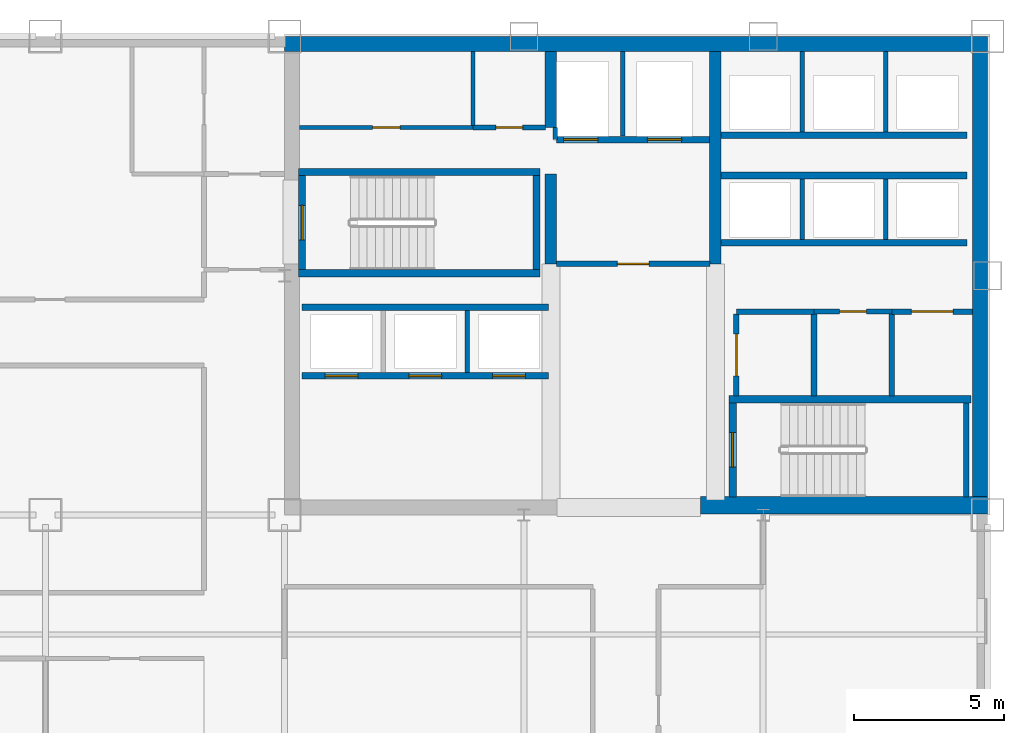
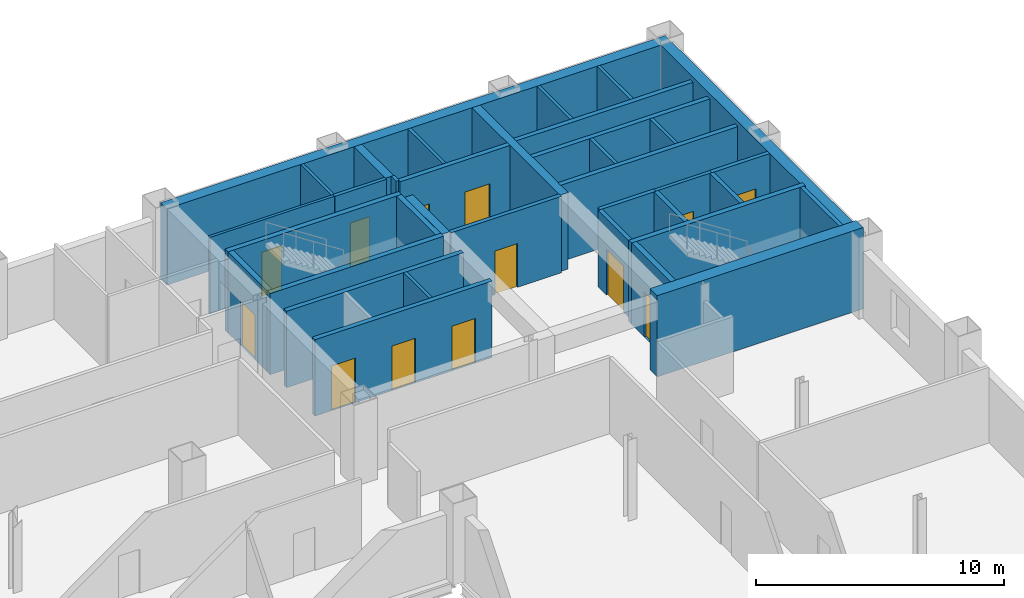
# One storey, part 7 of 10: 36 walls, 13 doors, 13 openings.
"""IFC4 building model written with IfcOpenShell, lengths in metres."""

from ifc_helpers import new_model, si_unit, direction, frame, frame_2d, origin, place, context, subcontext, project, spatial, rectangle, extrude, material, layer, layer_set, type_object, element, fill, save


model = new_model("IFC4")

# Units and contexts
model_context = context("Model", 3, precision=1e-05, world=origin(), true_north=direction((0.0, 1.0)))
body_context = subcontext(model_context, "Body", "Model", "MODEL_VIEW")
ifc_project = project(units=[si_unit("LENGTHUNIT", "METRE"), si_unit("AREAUNIT", "SQUARE_METRE"), si_unit("VOLUMEUNIT", "CUBIC_METRE"), si_unit("PLANEANGLEUNIT", "RADIAN"), si_unit("MASSUNIT", "GRAM", prefix="KILO")], contexts=[model_context])

# Site, building, storey
site_placement = place(None, origin())
site = spatial("IfcSite", under=ifc_project, at=site_placement, CompositionType="ELEMENT")
building_placement = place(site_placement, origin())
building = spatial("IfcBuilding", under=site, at=building_placement, Name="Qianrong Seaharbour Tower", CompositionType="ELEMENT")
storey_placement = place(building_placement, frame((0.0, 0.0, 175.0)))
storey = spatial("IfcBuildingStorey", under=building, at=storey_placement, Name="L42", CompositionType="ELEMENT", Elevation=175.0)

# Walls
ifc_material_1 = material(Name="Concrete C60/75", Category="concrete")
ifc_layer_1 = layer(ifc_material_1, 0.5)
ifc_layer_set_1 = layer_set([ifc_layer_1], Name="Concrete C60/75")
wall_type_1 = type_object("IfcWallType", Name="WALL-CORE-500", PredefinedType="SHEAR", material=ifc_layer_set_1)
wall_1_placement = place(storey_placement, frame((40.5, 51.75, 0.0), z_axis=(0.0, 0.0, 1.0), x_axis=(1.0, 0.0, 0.0)))
element("IfcWall", 1, at=wall_1_placement, inside=storey, type_object=wall_type_1, Name="L42 North Core Shear Wall", PredefinedType="SHEAR", context=body_context, shape_type="SweptSolid", body=[
    extrude(rectangle(XDim=23.5, YDim=0.5, at=frame_2d((11.75, 0.0))), origin(), (0.0, 0.0, 1.0), 3.764892578125),
])
wall_2_placement = place(storey_placement, frame((63.75, 36.320068359375, 0.0), z_axis=(0.0, 0.0, 1.0), x_axis=(0.0, 1.0, 0.0)))
element("IfcWall", 2, at=wall_2_placement, inside=storey, type_object=wall_type_1, Name="L42 East Core Shear Wall", PredefinedType="SHEAR", context=body_context, shape_type="SweptSolid", body=[
    extrude(rectangle(XDim=15.179931640625, YDim=0.5, at=frame_2d((7.58984375, 0.0))), origin(), (0.0, 0.0, 1.0), 3.764892578125),
])
ifc_material_2 = material(Name="Concrete C70/85", Category="concrete")
ifc_layer_2 = layer(ifc_material_2, 0.580078125)
ifc_layer_set_2 = layer_set([ifc_layer_2], Name="Concrete C70/85")
wall_type_2 = type_object("IfcWallType", Name="WALL-CORE-580", PredefinedType="SHEAR", material=ifc_layer_set_2)
wall_3_placement = place(storey_placement, frame((54.39990234375, 36.320068359375, 0.0), z_axis=(0.0, 0.0, 1.0), x_axis=(1.0, 0.0, 0.0)))
element("IfcWall", 3, at=wall_3_placement, inside=storey, type_object=wall_type_2, Name="L42 South Core Shear Wall S3", PredefinedType="SHEAR", context=body_context, shape_type="SweptSolid", body=[
    extrude(rectangle(XDim=9.60009765625, YDim=0.580078125, at=frame_2d((4.800048828125, 0.0))), origin(), (0.0, 0.0, 1.0), 4.0),
])
ifc_layer_3 = layer(ifc_material_1, 0.3798828125)
ifc_layer_set_3 = layer_set([ifc_layer_3], Name="Concrete C60/75")
wall_type_3 = type_object("IfcWallType", Name="WALL-CORE-INT-380", PredefinedType="SHEAR", material=ifc_layer_set_3)
wall_4_placement = place(storey_placement, frame((49.39990234375, 44.39990234375, 0.0), z_axis=(0.0, 0.0, 1.0), x_axis=(0.0, 1.0, 0.0)))
element("IfcWall", 4, at=wall_4_placement, inside=storey, type_object=wall_type_3, Name="L42 Internal Core Shear Wall IW1N1", PredefinedType="SHEAR", context=body_context, shape_type="SweptSolid", body=[
    extrude(rectangle(XDim=3.0, YDim=0.3798828125, at=frame_2d((1.5, 0.0))), origin(), (0.0, 0.0, 1.0), 3.764892578125),
])
wall_5_placement = place(storey_placement, frame((49.39990234375, 48.949951171875, 0.0), z_axis=(0.0, 0.0, 1.0), x_axis=(0.0, 1.0, 0.0)))
element("IfcWall", 5, at=wall_5_placement, inside=storey, type_object=wall_type_3, Name="L42 Internal Core Shear Wall IW1N2", PredefinedType="SHEAR", context=body_context, shape_type="SweptSolid", body=[
    extrude(rectangle(XDim=2.550048828125, YDim=0.3798828125, at=frame_2d((1.27490234375, 0.0))), origin(), (0.0, 0.0, 1.0), 3.764892578125),
])
wall_6_placement = place(storey_placement, frame((54.89990234375, 44.39990234375, 0.0), z_axis=(0.0, 0.0, 1.0), x_axis=(0.0, 1.0, 0.0)))
element("IfcWall", 6, at=wall_6_placement, inside=storey, type_object=wall_type_3, Name="L42 Internal Core Shear Wall IW2N", PredefinedType="SHEAR", context=body_context, shape_type="SweptSolid", body=[
    extrude(rectangle(XDim=7.10009765625, YDim=0.3798828125, at=frame_2d((3.550048828125, 0.0))), origin(), (0.0, 0.0, 1.0), 3.764892578125),
])

# Wall, opening, door
ifc_material_3 = material(Name="Fire-rated acoustic gypsum board partition")
ifc_layer_4 = layer(ifc_material_3, 0.1650390625)
ifc_layer_set_4 = layer_set([ifc_layer_4], Name="Fire-rated acoustic gypsum board partition")
wall_type_4 = type_object("IfcWallType", Name="WALL-CORR-PART-165", PredefinedType="PARTITIONING", material=ifc_layer_set_4)
wall_7_placement = place(storey_placement, frame((46.800048828125, 48.949951171875, 0.0), z_axis=(0.0, 0.0, 1.0), x_axis=(1.0, 0.0, 0.0)))
wall_7 = element("IfcWall", 7, at=wall_7_placement, inside=storey, type_object=wall_type_4, Name="L42 Interior Partition Wall 008", PredefinedType="PARTITIONING", context=body_context, shape_type="SweptSolid", body=[
    extrude(rectangle(XDim=2.41796875, YDim=0.1650390625, at=frame_2d((1.208984375, 0.0))), origin(), (0.0, 0.0, 1.0), 3.764892578125),
])
opening_1_placement = place(wall_7_placement, frame((0.759033203125, 0.0, 0.0)))
opening_1 = element("IfcOpeningElement", 8, at=opening_1_placement, cuts=wall_7, Name="Opening DS-01", PredefinedType="OPENING", context=body_context, shape_type="SweptSolid", body=[
    extrude(rectangle(XDim=0.89990234375, YDim=2.14990234375, at=frame_2d((0.449951171875, 1.074951171875))), frame((0.0, 0.092529296875, 0.0), z_axis=(0.0, -1.0, 0.0), x_axis=(1.0, 0.0, 0.0)), (0.0, 0.0, 1.0), 0.18505859375),
])
ifc_material_4 = material(Name="Acoustic timber and galvanized steel fire door assembly", Category="steel")
door_type_1 = type_object("IfcDoorType", Name="DOOR-STORE-900x2150", OperationType="NOTDEFINED", PredefinedType="DOOR", material=ifc_material_4)
door_1_placement = place(opening_1_placement, origin())
door_1 = element("IfcDoor", 9, at=door_1_placement, inside=storey, type_object=door_type_1, Name="L42 Janitor Store Room Door", OperationType="SINGLE_SWING_RIGHT", OverallHeight=2.14990234375, OverallWidth=0.89990234375, PredefinedType="DOOR", context=body_context, shape_type="SweptSolid", body=[
    extrude(rectangle(XDim=0.89990234375, YDim=2.14990234375, at=frame_2d((0.449951171875, 1.074951171875))), frame((0.0, 0.02490234375, 0.0), z_axis=(0.0, -1.0, 0.0), x_axis=(1.0, 0.0, 0.0)), (0.0, 0.0, 1.0), 0.050048828125),
])
fill(opening_1, door_1)

wall_8_placement = place(storey_placement, frame((60.800048828125, 42.800048828125, 0.0), z_axis=(0.0, 0.0, 1.0), x_axis=(-1.0, 0.0, 0.0)))
wall_8 = element("IfcWall", 10, at=wall_8_placement, inside=storey, type_object=wall_type_4, Name="L42 Interior Partition Wall 012", PredefinedType="PARTITIONING", context=body_context, shape_type="SweptSolid", body=[
    extrude(rectangle(XDim=2.60009765625, YDim=0.1650390625, at=frame_2d((1.300048828125, 0.0))), origin(), (0.0, 0.0, 1.0), 3.764892578125),
])
opening_2_placement = place(wall_8_placement, frame((0.85009765625, 0.0, 0.0)))
opening_2 = element("IfcOpeningElement", 11, at=opening_2_placement, cuts=wall_8, Name="Opening DS-01", PredefinedType="OPENING", context=body_context, shape_type="SweptSolid", body=[
    extrude(rectangle(XDim=0.89990234375, YDim=2.14990234375, at=frame_2d((0.449951171875, 1.074951171875))), frame((0.0, 0.092529296875, 0.0), z_axis=(0.0, -1.0, 0.0), x_axis=(1.0, 0.0, 0.0)), (0.0, 0.0, 1.0), 0.18505859375),
])
door_2_placement = place(opening_2_placement, origin())
door_2 = element("IfcDoor", 12, at=door_2_placement, inside=storey, type_object=door_type_1, Name="L42 Supply Store Room Door", OperationType="SINGLE_SWING_LEFT", OverallHeight=2.14990234375, OverallWidth=0.89990234375, PredefinedType="DOOR", context=body_context, shape_type="SweptSolid", body=[
    extrude(rectangle(XDim=0.89990234375, YDim=2.14990234375, at=frame_2d((0.449951171875, 1.074951171875))), frame((0.0, 0.02490234375, 0.0), z_axis=(0.0, -1.0, 0.0), x_axis=(1.0, 0.0, 0.0)), (0.0, 0.0, 1.0), 0.050048828125),
])
fill(opening_2, door_2)

ifc_material_5 = material(Name="Double fire-rated gypsum board acoustic partition")
ifc_layer_5 = layer(ifc_material_5, 0.18994140625)
ifc_layer_set_5 = layer_set([ifc_layer_5], Name="Double fire-rated gypsum board acoustic partition")
wall_type_5 = type_object("IfcWallType", Name="WALL-FIRE-PART-190", PredefinedType="PARTITIONING", material=ifc_layer_set_5)
wall_9_placement = place(storey_placement, frame((54.718017578125, 44.39990234375, 0.0), z_axis=(0.0, 0.0, 1.0), x_axis=(-1.0, 0.0, 0.0)))
wall_9 = element("IfcWall", 13, at=wall_9_placement, inside=storey, type_object=wall_type_5, Name="L42 Interior Partition Wall 009", PredefinedType="PARTITIONING", context=body_context, shape_type="SweptSolid", body=[
    extrude(rectangle(XDim=5.135986328125, YDim=0.18994140625, at=frame_2d((2.56787109375, 0.0))), origin(), (0.0, 0.0, 1.0), 3.764892578125),
])
opening_3_placement = place(wall_9_placement, frame((2.04296875, 0.0, 0.0)))
opening_3 = element("IfcOpeningElement", 14, at=opening_3_placement, cuts=wall_9, Name="Opening DC-01", PredefinedType="OPENING", context=body_context, shape_type="SweptSolid", body=[
    extrude(rectangle(XDim=1.050048828125, YDim=2.14990234375, at=frame_2d((0.52490234375, 1.074951171875))), frame((0.0, 0.10498046875, 0.0), z_axis=(0.0, -1.0, 0.0), x_axis=(1.0, 0.0, 0.0)), (0.0, 0.0, 1.0), 0.2099609375),
])
door_type_2 = type_object("IfcDoorType", Name="DOOR-CORR-FD60-1050x2150", OperationType="NOTDEFINED", PredefinedType="DOOR", material=ifc_material_4)
door_3_placement = place(opening_3_placement, origin())
door_3 = element("IfcDoor", 15, at=door_3_placement, inside=storey, type_object=door_type_2, Name="L42 Firefighting Lift Lobby Door", OperationType="SINGLE_SWING_RIGHT", OverallHeight=2.14990234375, OverallWidth=1.050048828125, PredefinedType="DOOR", context=body_context, shape_type="SweptSolid", body=[
    extrude(rectangle(XDim=1.050048828125, YDim=2.14990234375, at=frame_2d((0.52490234375, 1.074951171875))), frame((0.0, 0.02490234375, 0.0), z_axis=(0.0, -1.0, 0.0), x_axis=(1.0, 0.0, 0.0)), (0.0, 0.0, 1.0), 0.050048828125),
])
fill(opening_3, door_3)

wall_10_placement = place(storey_placement, frame((55.60009765625, 42.712890625, 0.0), z_axis=(0.0, 0.0, 1.0), x_axis=(0.0, -1.0, 0.0)))
wall_10 = element("IfcWall", 16, at=wall_10_placement, inside=storey, type_object=wall_type_5, Name="L42 Interior Partition Wall 010", PredefinedType="PARTITIONING", context=body_context, shape_type="SweptSolid", body=[
    extrude(rectangle(XDim=2.73095703125, YDim=0.18994140625, at=frame_2d((1.365478515625, 0.0))), origin(), (0.0, 0.0, 1.0), 3.764892578125),
])
opening_4_placement = place(wall_10_placement, frame((0.66552734375, 0.0, 0.0)))
opening_4 = element("IfcOpeningElement", 17, at=opening_4_placement, cuts=wall_10, Name="Opening DP-01", PredefinedType="OPENING", context=body_context, shape_type="SweptSolid", body=[
    extrude(rectangle(XDim=1.39990234375, YDim=2.25, at=frame_2d((0.699951171875, 1.125))), frame((0.0, 0.10498046875, 0.0), z_axis=(0.0, -1.0, 0.0), x_axis=(1.0, 0.0, 0.0)), (0.0, 0.0, 1.0), 0.2099609375),
])
door_type_3 = type_object("IfcDoorType", Name="DOOR-PLANT-PAIR-1400x2250", OperationType="DOUBLE_DOOR_SINGLE_SWING", PredefinedType="DOOR", material=ifc_material_4)
door_4_placement = place(opening_4_placement, origin())
door_4 = element("IfcDoor", 18, at=door_4_placement, inside=storey, type_object=door_type_3, Name="L42 Core Telecom Room Door", OperationType="DOUBLE_DOOR_SINGLE_SWING", OverallHeight=2.25, OverallWidth=1.39990234375, PredefinedType="DOOR", context=body_context, shape_type="SweptSolid", body=[
    extrude(rectangle(XDim=1.39990234375, YDim=2.25, at=frame_2d((0.699951171875, 1.125))), frame((0.0, 0.02490234375, 0.0), z_axis=(0.0, -1.0, 0.0), x_axis=(1.0, 0.0, 0.0)), (0.0, 0.0, 1.0), 0.050048828125),
])
fill(opening_4, door_4)

# Wall
wall_11_placement = place(storey_placement, frame((58.199951171875, 42.800048828125, 0.0), z_axis=(0.0, 0.0, 1.0), x_axis=(-1.0, 0.0, 0.0)))
element("IfcWall", 19, at=wall_11_placement, inside=storey, type_object=wall_type_5, Name="L42 Interior Partition Wall 011", PredefinedType="PARTITIONING", context=body_context, shape_type="SweptSolid", body=[
    extrude(rectangle(XDim=2.599853515625, YDim=0.18994140625, at=frame_2d((1.2998046875, 0.0))), origin(), (0.0, 0.0, 1.0), 3.764892578125),
])

# Wall, opening, door
wall_12_placement = place(storey_placement, frame((63.5, 42.800048828125, 0.0), z_axis=(0.0, 0.0, 1.0), x_axis=(-1.0, 0.0, 0.0)))
wall_12 = element("IfcWall", 20, at=wall_12_placement, inside=storey, type_object=wall_type_5, Name="L42 Interior Partition Wall 013", PredefinedType="PARTITIONING", context=body_context, shape_type="SweptSolid", body=[
    extrude(rectangle(XDim=2.699951171875, YDim=0.18994140625, at=frame_2d((1.35009765625, 0.0))), origin(), (0.0, 0.0, 1.0), 3.764892578125),
])
opening_5_placement = place(wall_12_placement, frame((0.64990234375, 0.0, 0.0)))
opening_5 = element("IfcOpeningElement", 21, at=opening_5_placement, cuts=wall_12, Name="Opening DP-01", PredefinedType="OPENING", context=body_context, shape_type="SweptSolid", body=[
    extrude(rectangle(XDim=1.39990234375, YDim=2.25, at=frame_2d((0.699951171875, 1.125))), frame((0.0, 0.10498046875, 0.0), z_axis=(0.0, -1.0, 0.0), x_axis=(1.0, 0.0, 0.0)), (0.0, 0.0, 1.0), 0.2099609375),
])
door_5_placement = place(opening_5_placement, origin())
door_5 = element("IfcDoor", 22, at=door_5_placement, inside=storey, type_object=door_type_3, Name="L42 Building Metering Room Door", OperationType="DOUBLE_DOOR_SINGLE_SWING", OverallHeight=2.25, OverallWidth=1.39990234375, PredefinedType="DOOR", context=body_context, shape_type="SweptSolid", body=[
    extrude(rectangle(XDim=1.39990234375, YDim=2.25, at=frame_2d((0.699951171875, 1.125))), frame((0.0, 0.02490234375, 0.0), z_axis=(0.0, -1.0, 0.0), x_axis=(1.0, 0.0, 0.0)), (0.0, 0.0, 1.0), 0.050048828125),
])
fill(opening_5, door_5)

# Walls
for number, where, z_axis, x_axis, name in (
    (23, (58.199951171875, 42.712890625, 0.0), (0.0, 0.0, 1.0), (0.0, -1.0, 0.0), "L42 Interior Partition Wall 015"),
    (24, (60.800048828125, 42.712890625, 0.0), (0.0, 0.0, 1.0), (0.0, -1.0, 0.0), "L42 Interior Partition Wall 016"),
):
    element("IfcWall", number, at=place(storey_placement, frame(where, z_axis=z_axis, x_axis=x_axis)), inside=storey, type_object=wall_type_5, Name=name, PredefinedType="PARTITIONING", context=body_context, shape_type="SweptSolid", body=[
        extrude(rectangle(XDim=2.73095703125, YDim=0.18994140625, at=frame_2d((1.365478515625, 0.0))), origin(), (0.0, 0.0, 1.0), 3.764892578125),
    ])
ifc_material_6 = material(Name="Fire-rated gypsum board on steel studs", Category="steel")
ifc_layer_6 = layer(ifc_material_6, 0.14990234375)
ifc_layer_set_6 = layer_set([ifc_layer_6], Name="Fire-rated gypsum board on steel studs")
wall_type_6 = type_object("IfcWallType", Name="WALL-SHAFT-DIV-150", PredefinedType="PARTITIONING", material=ifc_layer_set_6)
wall_13_placement = place(storey_placement, frame((51.800048828125, 48.669921875, 0.0), z_axis=(0.0, 0.0, 1.0), x_axis=(0.0, 1.0, 0.0)))
element("IfcWall", 25, at=wall_13_placement, inside=storey, type_object=wall_type_6, Name="L42 Firefighting Lift Shaft Divider Wall", PredefinedType="PARTITIONING", context=body_context, shape_type="SweptSolid", body=[
    extrude(rectangle(XDim=2.830078125, YDim=0.14990234375, at=frame_2d((1.4150390625, 0.0))), origin(), (0.0, 0.0, 1.0), 3.764892578125),
])
wall_14_placement = place(storey_placement, frame((49.550048828125, 48.550048828125, 0.0), z_axis=(0.0, 0.0, 1.0), x_axis=(0.0, 1.0, 0.0)))
element("IfcWall", 26, at=wall_14_placement, inside=storey, type_object=wall_type_6, Name="L42 Firefighting Lift Shaft West Return Wall", PredefinedType="PARTITIONING", context=body_context, shape_type="SweptSolid", body=[
    extrude(rectangle(XDim=0.39990234375, YDim=0.14990234375, at=frame_2d((0.199951171875, 0.0))), origin(), (0.0, 0.0, 1.0), 3.764892578125),
])
wall_15_placement = place(storey_placement, frame((46.60009765625, 40.760009765625, 0.0), z_axis=(0.0, 0.0, 1.0), x_axis=(0.0, 1.0, 0.0)))
element("IfcWall", 27, at=wall_15_placement, inside=storey, type_object=wall_type_6, Name="L42 P2 Lift Hoistway Divider 3", PredefinedType="PARTITIONING", context=body_context, shape_type="SweptSolid", body=[
    extrude(rectangle(XDim=2.080078125, YDim=0.14990234375, at=frame_2d((1.0400390625, 0.0))), origin(), (0.0, 0.0, 1.0), 3.764892578125),
])
for number, where, z_axis, x_axis, name in (
    (28, (57.800048828125, 45.2099609375, 0.0), (0.0, 0.0, 1.0), (0.0, 1.0, 0.0), "L42 P3 Lift Hoistway Divider 2"),
    (29, (60.60009765625, 45.2099609375, 0.0), (0.0, 0.0, 1.0), (0.0, 1.0, 0.0), "L42 P3 Lift Hoistway Divider 3"),
):
    element("IfcWall", number, at=place(storey_placement, frame(where, z_axis=z_axis, x_axis=x_axis)), inside=storey, type_object=wall_type_6, Name=name, PredefinedType="PARTITIONING", context=body_context, shape_type="SweptSolid", body=[
        extrude(rectangle(XDim=2.030029296875, YDim=0.14990234375, at=frame_2d((1.01513671875, 0.0))), origin(), (0.0, 0.0, 1.0), 3.764892578125),
    ])
for number, where, z_axis, x_axis, name in (
    (30, (57.800048828125, 48.81005859375, 0.0), (0.0, 0.0, 1.0), (0.0, 1.0, 0.0), "L42 P4 Lift Hoistway Divider 2"),
    (31, (60.60009765625, 48.81005859375, 0.0), (0.0, 0.0, 1.0), (0.0, 1.0, 0.0), "L42 P4 Lift Hoistway Divider 3"),
):
    element("IfcWall", number, at=place(storey_placement, frame(where, z_axis=z_axis, x_axis=x_axis)), inside=storey, type_object=wall_type_6, Name=name, PredefinedType="PARTITIONING", context=body_context, shape_type="SweptSolid", body=[
        extrude(rectangle(XDim=2.68994140625, YDim=0.14990234375, at=frame_2d((1.344970703125, 0.0))), origin(), (0.0, 0.0, 1.0), 3.764892578125),
    ])

# Wall, openings, doors
ifc_layer_7 = layer(ifc_material_6, 0.219970703125)
ifc_layer_set_7 = layer_set([ifc_layer_7], Name="Fire-rated gypsum board on steel studs")
wall_type_7 = type_object("IfcWallType", Name="WALL-SHAFT-GYP220", PredefinedType="PARTITIONING", material=ifc_layer_set_7)
wall_16_placement = place(storey_placement, frame((54.7099609375, 48.550048828125, 0.0), z_axis=(0.0, 0.0, 1.0), x_axis=(-1.0, 0.0, 0.0)))
wall_16 = element("IfcWall", 32, at=wall_16_placement, inside=storey, type_object=wall_type_7, Name="L42 Firefighting Lift Shaft Front Wall", PredefinedType="PARTITIONING", context=body_context, shape_type="SweptSolid", body=[
    extrude(rectangle(XDim=5.119873046875, YDim=0.219970703125, at=frame_2d((2.56005859375, 0.0))), origin(), (0.0, 0.0, 1.0), 3.764892578125),
])
opening_6_placement = place(wall_16_placement, frame((3.735107421875, 0.0, 0.0)))
opening_6 = element("IfcOpeningElement", 33, at=opening_6_placement, cuts=wall_16, Name="Opening LD-01", PredefinedType="OPENING", context=body_context, shape_type="SweptSolid", body=[
    extrude(rectangle(XDim=1.14990234375, YDim=2.199951171875, at=frame_2d((0.574951171875, 1.10009765625))), frame((0.0, 0.1201171875, 0.0), z_axis=(0.0, -1.0, 0.0), x_axis=(1.0, 0.0, 0.0)), (0.0, 0.0, 1.0), 0.239990234375),
])
opening_7_placement = place(wall_16_placement, frame((0.93505859375, 0.0, 0.0)))
opening_7 = element("IfcOpeningElement", 34, at=opening_7_placement, cuts=wall_16, Name="Opening LD-01", PredefinedType="OPENING", context=body_context, shape_type="SweptSolid", body=[
    extrude(rectangle(XDim=1.14990234375, YDim=2.199951171875, at=frame_2d((0.574951171875, 1.10009765625))), frame((0.0, 0.1201171875, 0.0), z_axis=(0.0, -1.0, 0.0), x_axis=(1.0, 0.0, 0.0)), (0.0, 0.0, 1.0), 0.239990234375),
])
ifc_material_7 = material(Name="Stainless steel SUS316L bi-parting lift landing door", Category="steel")
door_type_4 = type_object("IfcDoorType", Name="DOOR-LIFT-FF-1150x2200", OperationType="DOUBLE_DOOR_SLIDING", PredefinedType="DOOR", material=ifc_material_7)
door_6_placement = place(opening_6_placement, origin())
door_6 = element("IfcDoor", 35, at=door_6_placement, inside=storey, type_object=door_type_4, Name="L42 FL-1 Firefighting Lift Landing Door", OperationType="DOUBLE_DOOR_SLIDING", OverallHeight=2.199951171875, OverallWidth=1.14990234375, PredefinedType="DOOR", context=body_context, shape_type="SweptSolid", body=[
    extrude(rectangle(XDim=1.14990234375, YDim=2.199951171875, at=frame_2d((0.574951171875, 1.10009765625))), frame((0.0, 0.02490234375, 0.0), z_axis=(0.0, -1.0, 0.0), x_axis=(1.0, 0.0, 0.0)), (0.0, 0.0, 1.0), 0.050048828125),
])
fill(opening_6, door_6)
door_7_placement = place(opening_7_placement, origin())
door_7 = element("IfcDoor", 36, at=door_7_placement, inside=storey, type_object=door_type_4, Name="L42 FL-2 Firefighting Lift Landing Door", OperationType="DOUBLE_DOOR_SLIDING", OverallHeight=2.199951171875, OverallWidth=1.14990234375, PredefinedType="DOOR", context=body_context, shape_type="SweptSolid", body=[
    extrude(rectangle(XDim=1.14990234375, YDim=2.199951171875, at=frame_2d((0.574951171875, 1.10009765625))), frame((0.0, 0.02490234375, 0.0), z_axis=(0.0, -1.0, 0.0), x_axis=(1.0, 0.0, 0.0)), (0.0, 0.0, 1.0), 0.050048828125),
])
fill(opening_7, door_7)

wall_17_placement = place(storey_placement, frame((49.320068359375, 40.64990234375, 0.0), z_axis=(0.0, 0.0, 1.0), x_axis=(-1.0, 0.0, 0.0)))
wall_17 = element("IfcWall", 37, at=wall_17_placement, inside=storey, type_object=wall_type_7, Name="L42 P2 Lift Hoistway Front Wall", PredefinedType="PARTITIONING", context=body_context, shape_type="SweptSolid", body=[
    extrude(rectangle(XDim=8.239990234375, YDim=0.219970703125, at=frame_2d((4.1201171875, 0.0))), origin(), (0.0, 0.0, 1.0), 3.764892578125),
])
opening_8_placement = place(wall_17_placement, frame((6.3701171875, 0.0, 0.0)))
opening_8 = element("IfcOpeningElement", 38, at=opening_8_placement, cuts=wall_17, Name="Opening LD-02", PredefinedType="OPENING", context=body_context, shape_type="SweptSolid", body=[
    extrude(rectangle(XDim=1.10009765625, YDim=2.199951171875, at=frame_2d((0.550048828125, 1.10009765625))), frame((0.0, 0.1201171875, 0.0), z_axis=(0.0, -1.0, 0.0), x_axis=(1.0, 0.0, 0.0)), (0.0, 0.0, 1.0), 0.239990234375),
])
opening_9_placement = place(wall_17_placement, frame((3.570068359375, 0.0, 0.0)))
opening_9 = element("IfcOpeningElement", 39, at=opening_9_placement, cuts=wall_17, Name="Opening LD-02", PredefinedType="OPENING", context=body_context, shape_type="SweptSolid", body=[
    extrude(rectangle(XDim=1.10009765625, YDim=2.199951171875, at=frame_2d((0.550048828125, 1.10009765625))), frame((0.0, 0.1201171875, 0.0), z_axis=(0.0, -1.0, 0.0), x_axis=(1.0, 0.0, 0.0)), (0.0, 0.0, 1.0), 0.239990234375),
])
opening_10_placement = place(wall_17_placement, frame((0.77001953125, 0.0, 0.0)))
opening_10 = element("IfcOpeningElement", 40, at=opening_10_placement, cuts=wall_17, Name="Opening LD-02", PredefinedType="OPENING", context=body_context, shape_type="SweptSolid", body=[
    extrude(rectangle(XDim=1.10009765625, YDim=2.199951171875, at=frame_2d((0.550048828125, 1.10009765625))), frame((0.0, 0.1201171875, 0.0), z_axis=(0.0, -1.0, 0.0), x_axis=(1.0, 0.0, 0.0)), (0.0, 0.0, 1.0), 0.239990234375),
])
door_type_5 = type_object("IfcDoorType", Name="DOOR-LIFT-PASS-1100x2200", OperationType="DOUBLE_DOOR_SLIDING", PredefinedType="DOOR", material=ifc_material_7)
door_8_placement = place(opening_8_placement, origin())
door_8 = element("IfcDoor", 41, at=door_8_placement, inside=storey, type_object=door_type_5, Name="L42 PL-2A Lift Landing Door", OperationType="DOUBLE_DOOR_SLIDING", OverallHeight=2.199951171875, OverallWidth=1.10009765625, PredefinedType="DOOR", context=body_context, shape_type="SweptSolid", body=[
    extrude(rectangle(XDim=1.10009765625, YDim=2.199951171875, at=frame_2d((0.550048828125, 1.10009765625))), frame((0.0, 0.02490234375, 0.0), z_axis=(0.0, -1.0, 0.0), x_axis=(1.0, 0.0, 0.0)), (0.0, 0.0, 1.0), 0.050048828125),
])
fill(opening_8, door_8)
door_9_placement = place(opening_9_placement, origin())
door_9 = element("IfcDoor", 42, at=door_9_placement, inside=storey, type_object=door_type_5, Name="L42 PL-2B Lift Landing Door", OperationType="DOUBLE_DOOR_SLIDING", OverallHeight=2.199951171875, OverallWidth=1.10009765625, PredefinedType="DOOR", context=body_context, shape_type="SweptSolid", body=[
    extrude(rectangle(XDim=1.10009765625, YDim=2.199951171875, at=frame_2d((0.550048828125, 1.10009765625))), frame((0.0, 0.02490234375, 0.0), z_axis=(0.0, -1.0, 0.0), x_axis=(1.0, 0.0, 0.0)), (0.0, 0.0, 1.0), 0.050048828125),
])
fill(opening_9, door_9)
door_10_placement = place(opening_10_placement, origin())
door_10 = element("IfcDoor", 43, at=door_10_placement, inside=storey, type_object=door_type_5, Name="L42 PL-2C Lift Landing Door", OperationType="DOUBLE_DOOR_SLIDING", OverallHeight=2.199951171875, OverallWidth=1.10009765625, PredefinedType="DOOR", context=body_context, shape_type="SweptSolid", body=[
    extrude(rectangle(XDim=1.10009765625, YDim=2.199951171875, at=frame_2d((0.550048828125, 1.10009765625))), frame((0.0, 0.02490234375, 0.0), z_axis=(0.0, -1.0, 0.0), x_axis=(1.0, 0.0, 0.0)), (0.0, 0.0, 1.0), 0.050048828125),
])
fill(opening_10, door_10)

# Walls
for number, where, z_axis, x_axis, name in (
    (44, (41.080078125, 42.949951171875, 0.0), (0.0, 0.0, 1.0), (1.0, 0.0, 0.0), "L42 P2 Lift Hoistway Back Wall"),
    (45, (63.320068359375, 45.10009765625, 0.0), (0.0, 0.0, 1.0), (-1.0, 0.0, 0.0), "L42 P3 Lift Hoistway Front Wall"),
    (46, (55.080078125, 47.35009765625, 0.0), (0.0, 0.0, 1.0), (1.0, 0.0, 0.0), "L42 P3 Lift Hoistway Back Wall"),
    (47, (63.320068359375, 48.699951171875, 0.0), (0.0, 0.0, 1.0), (-1.0, 0.0, 0.0), "L42 P4 Lift Hoistway Front Wall"),
):
    element("IfcWall", number, at=place(storey_placement, frame(where, z_axis=z_axis, x_axis=x_axis)), inside=storey, type_object=wall_type_7, Name=name, PredefinedType="PARTITIONING", context=body_context, shape_type="SweptSolid", body=[
        extrude(rectangle(XDim=8.239990234375, YDim=0.219970703125, at=frame_2d((4.1201171875, 0.0))), origin(), (0.0, 0.0, 1.0), 3.764892578125),
    ])
ifc_material_8 = material(Name="Concrete C50/60", Category="concrete")
ifc_layer_8 = layer(ifc_material_8, 0.239990234375)
ifc_layer_set_8 = layer_set([ifc_layer_8], Name="Concrete C50/60")
wall_type_8 = type_object("IfcWallType", Name="WALL-SHAFT-RC240", PredefinedType="SOLIDWALL", material=ifc_layer_set_8)
for number, where, z_axis, x_axis, name in (
    (48, (40.9599609375, 47.469970703125, 0.0), (0.0, 0.0, 1.0), (1.0, 0.0, 0.0), "L42 ST-1 Structural Stair Core Wall N"),
    (49, (49.0400390625, 44.080078125, 0.0), (0.0, 0.0, 1.0), (-1.0, 0.0, 0.0), "L42 ST-1 Structural Stair Core Wall S"),
):
    element("IfcWall", number, at=place(storey_placement, frame(where, z_axis=z_axis, x_axis=x_axis)), inside=storey, type_object=wall_type_8, Name=name, PredefinedType="SOLIDWALL", context=body_context, shape_type="SweptSolid", body=[
        extrude(rectangle(XDim=8.080078125, YDim=0.239990234375, at=frame_2d((4.0400390625, 0.0))), origin(), (0.0, 0.0, 1.0), 4.0),
    ])

# Wall, opening, door
wall_18_placement = place(storey_placement, frame((41.080078125, 47.35009765625, 0.0), z_axis=(0.0, 0.0, 1.0), x_axis=(0.0, -1.0, 0.0)))
wall_18 = element("IfcWall", 50, at=wall_18_placement, inside=storey, type_object=wall_type_8, Name="L42 ST-1 Structural Stair Core Wall W", PredefinedType="SOLIDWALL", context=body_context, shape_type="SweptSolid", body=[
    extrude(rectangle(XDim=3.150146484375, YDim=0.239990234375, at=frame_2d((1.5751953125, 0.0))), origin(), (0.0, 0.0, 1.0), 4.0),
])
opening_11_placement = place(wall_18_placement, frame((1.0, 0.0, 0.0)))
opening_11 = element("IfcOpeningElement", 51, at=opening_11_placement, cuts=wall_18, Name="Opening SD-01", PredefinedType="OPENING", context=body_context, shape_type="SweptSolid", body=[
    extrude(rectangle(XDim=1.14990234375, YDim=2.199951171875, at=frame_2d((0.574951171875, 1.10009765625))), frame((0.0, 0.1298828125, 0.0), z_axis=(0.0, -1.0, 0.0), x_axis=(1.0, 0.0, 0.0)), (0.0, 0.0, 1.0), 0.260009765625),
])
door_type_6 = type_object("IfcDoorType", Name="DOOR-STAIR-FD60-1150x2200", OperationType="NOTDEFINED", PredefinedType="DOOR", material=ifc_material_4)
door_11_placement = place(opening_11_placement, origin())
door_11 = element("IfcDoor", 52, at=door_11_placement, inside=storey, type_object=door_type_6, Name="L42 ST-1 Protected Stair Door", OperationType="SINGLE_SWING_LEFT", OverallHeight=2.199951171875, OverallWidth=1.14990234375, PredefinedType="DOOR", context=body_context, shape_type="SweptSolid", body=[
    extrude(rectangle(XDim=1.14990234375, YDim=2.199951171875, at=frame_2d((0.574951171875, 1.10009765625))), frame((0.0, 0.02490234375, 0.0), z_axis=(0.0, -1.0, 0.0), x_axis=(1.0, 0.0, 0.0)), (0.0, 0.0, 1.0), 0.050048828125),
])
fill(opening_11, door_11)

# Walls
wall_19_placement = place(storey_placement, frame((48.919921875, 44.199951171875, 0.0), z_axis=(0.0, 0.0, 1.0), x_axis=(0.0, 1.0, 0.0)))
element("IfcWall", 53, at=wall_19_placement, inside=storey, type_object=wall_type_8, Name="L42 ST-1 Structural Stair Core Wall E", PredefinedType="SOLIDWALL", context=body_context, shape_type="SweptSolid", body=[
    extrude(rectangle(XDim=3.150146484375, YDim=0.239990234375, at=frame_2d((1.5751953125, 0.0))), origin(), (0.0, 0.0, 1.0), 4.0),
])
wall_20_placement = place(storey_placement, frame((55.360107421875, 39.8701171875, 0.0), z_axis=(0.0, 0.0, 1.0), x_axis=(1.0, 0.0, 0.0)))
element("IfcWall", 54, at=wall_20_placement, inside=storey, type_object=wall_type_8, Name="L42 ST-2 Structural Stair Core Wall N", PredefinedType="SOLIDWALL", context=body_context, shape_type="SweptSolid", body=[
    extrude(rectangle(XDim=8.079833984375, YDim=0.239990234375, at=frame_2d((4.0400390625, 0.0))), origin(), (0.0, 0.0, 1.0), 4.0),
])

# Wall, opening, door
wall_21_placement = place(storey_placement, frame((55.47998046875, 39.75, 0.0), z_axis=(0.0, 0.0, 1.0), x_axis=(0.0, -1.0, 0.0)))
wall_21 = element("IfcWall", 55, at=wall_21_placement, inside=storey, type_object=wall_type_8, Name="L42 ST-2 Structural Stair Core Wall W", PredefinedType="SOLIDWALL", context=body_context, shape_type="SweptSolid", body=[
    extrude(rectangle(XDim=3.14990234375, YDim=0.239990234375, at=frame_2d((1.574951171875, 0.0))), origin(), (0.0, 0.0, 1.0), 4.0),
])
opening_12_placement = place(wall_21_placement, frame((1.0, 0.0, 0.0)))
opening_12 = element("IfcOpeningElement", 56, at=opening_12_placement, cuts=wall_21, Name="Opening SD-01", PredefinedType="OPENING", context=body_context, shape_type="SweptSolid", body=[
    extrude(rectangle(XDim=1.14990234375, YDim=2.199951171875, at=frame_2d((0.574951171875, 1.10009765625))), frame((0.0, 0.1298828125, 0.0), z_axis=(0.0, -1.0, 0.0), x_axis=(1.0, 0.0, 0.0)), (0.0, 0.0, 1.0), 0.260009765625),
])
door_12_placement = place(opening_12_placement, origin())
door_12 = element("IfcDoor", 57, at=door_12_placement, inside=storey, type_object=door_type_6, Name="L42 ST-2 Protected Stair Door", OperationType="SINGLE_SWING_LEFT", OverallHeight=2.199951171875, OverallWidth=1.14990234375, PredefinedType="DOOR", context=body_context, shape_type="SweptSolid", body=[
    extrude(rectangle(XDim=1.14990234375, YDim=2.199951171875, at=frame_2d((0.574951171875, 1.10009765625))), frame((0.0, 0.02490234375, 0.0), z_axis=(0.0, -1.0, 0.0), x_axis=(1.0, 0.0, 0.0)), (0.0, 0.0, 1.0), 0.050048828125),
])
fill(opening_12, door_12)

# Wall
wall_22_placement = place(storey_placement, frame((63.2900390625, 36.60009765625, 0.0), z_axis=(0.0, 0.0, 1.0), x_axis=(0.0, 1.0, 0.0)))
element("IfcWall", 58, at=wall_22_placement, inside=storey, type_object=wall_type_8, Name="L42 ST-2 Structural Stair Core Wall E", PredefinedType="SOLIDWALL", context=body_context, shape_type="SweptSolid", body=[
    extrude(rectangle(XDim=3.14990234375, YDim=0.179931640625, at=frame_2d((1.574951171875, 0.0))), origin(), (0.0, 0.0, 1.0), 4.0),
])

# Wall, opening, door
ifc_material_9 = material(Name="Water-resistant cement board sanitary partition")
ifc_layer_9 = layer(ifc_material_9, 0.1298828125)
ifc_layer_set_9 = layer_set([ifc_layer_9], Name="Water-resistant cement board sanitary partition")
wall_type_9 = type_object("IfcWallType", Name="WALL-WET-PART-130", PredefinedType="PARTITIONING", material=ifc_layer_set_9)
wall_23_placement = place(storey_placement, frame((41.0, 48.949951171875, 0.0), z_axis=(0.0, 0.0, 1.0), x_axis=(1.0, 0.0, 0.0)))
wall_23 = element("IfcWall", 59, at=wall_23_placement, inside=storey, type_object=wall_type_9, Name="L42 Interior Partition Wall 007", PredefinedType="PARTITIONING", context=body_context, shape_type="SweptSolid", body=[
    extrude(rectangle(XDim=5.800048828125, YDim=0.1298828125, at=frame_2d((2.89990234375, 0.0))), origin(), (0.0, 0.0, 1.0), 3.764892578125),
])
opening_13_placement = place(wall_23_placement, frame((2.43994140625, 0.0, 0.0)))
opening_13 = element("IfcOpeningElement", 60, at=opening_13_placement, cuts=wall_23, Name="Opening DW-01", PredefinedType="OPENING", context=body_context, shape_type="SweptSolid", body=[
    extrude(rectangle(XDim=0.919921875, YDim=2.14990234375, at=frame_2d((0.4599609375, 1.074951171875))), frame((0.0, 0.074951171875, 0.0), z_axis=(0.0, -1.0, 0.0), x_axis=(1.0, 0.0, 0.0)), (0.0, 0.0, 1.0), 0.14990234375),
])
door_type_7 = type_object("IfcDoorType", Name="DOOR-WC-920x2150", OperationType="NOTDEFINED", PredefinedType="DOOR", material=ifc_material_4)
door_13_placement = place(opening_13_placement, origin())
door_13 = element("IfcDoor", 61, at=door_13_placement, inside=storey, type_object=door_type_7, Name="L42 Restroom WC Suite Door", OperationType="SINGLE_SWING_LEFT", OverallHeight=2.14990234375, OverallWidth=0.919921875, PredefinedType="DOOR", context=body_context, shape_type="SweptSolid", body=[
    extrude(rectangle(XDim=0.919921875, YDim=2.14990234375, at=frame_2d((0.4599609375, 1.074951171875))), frame((0.0, 0.02490234375, 0.0), z_axis=(0.0, -1.0, 0.0), x_axis=(1.0, 0.0, 0.0)), (0.0, 0.0, 1.0), 0.050048828125),
])
fill(opening_13, door_13)

# Wall
wall_24_placement = place(storey_placement, frame((46.800048828125, 51.5, 0.0), z_axis=(0.0, 0.0, 1.0), x_axis=(0.0, -1.0, 0.0)))
element("IfcWall", 62, at=wall_24_placement, inside=storey, type_object=wall_type_9, Name="L42 Interior Partition Wall 014", PredefinedType="PARTITIONING", context=body_context, shape_type="SweptSolid", body=[
    extrude(rectangle(XDim=2.4755859375, YDim=0.1298828125, at=frame_2d((1.23779296875, 0.0))), origin(), (0.0, 0.0, 1.0), 3.764892578125),
])

save(model, "model.ifc")
